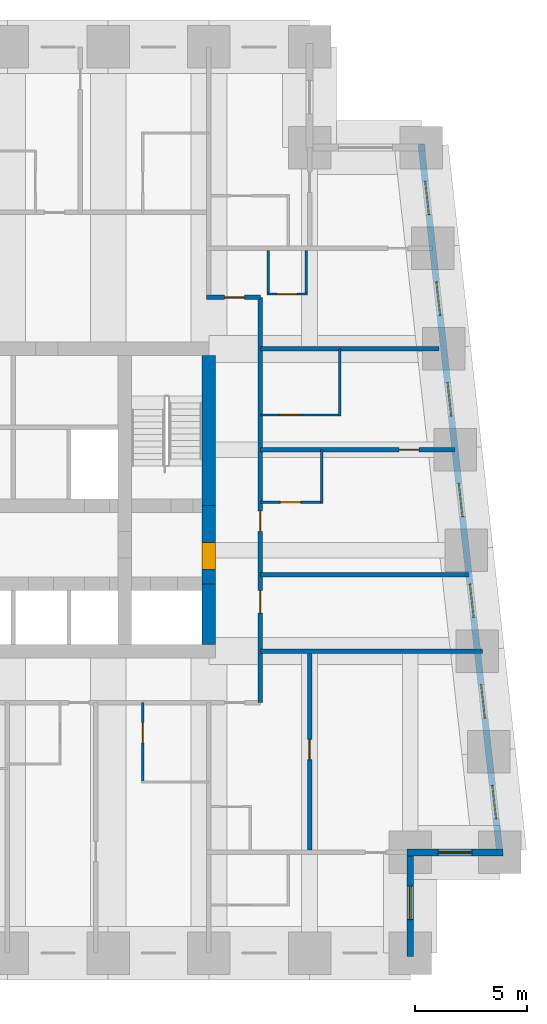
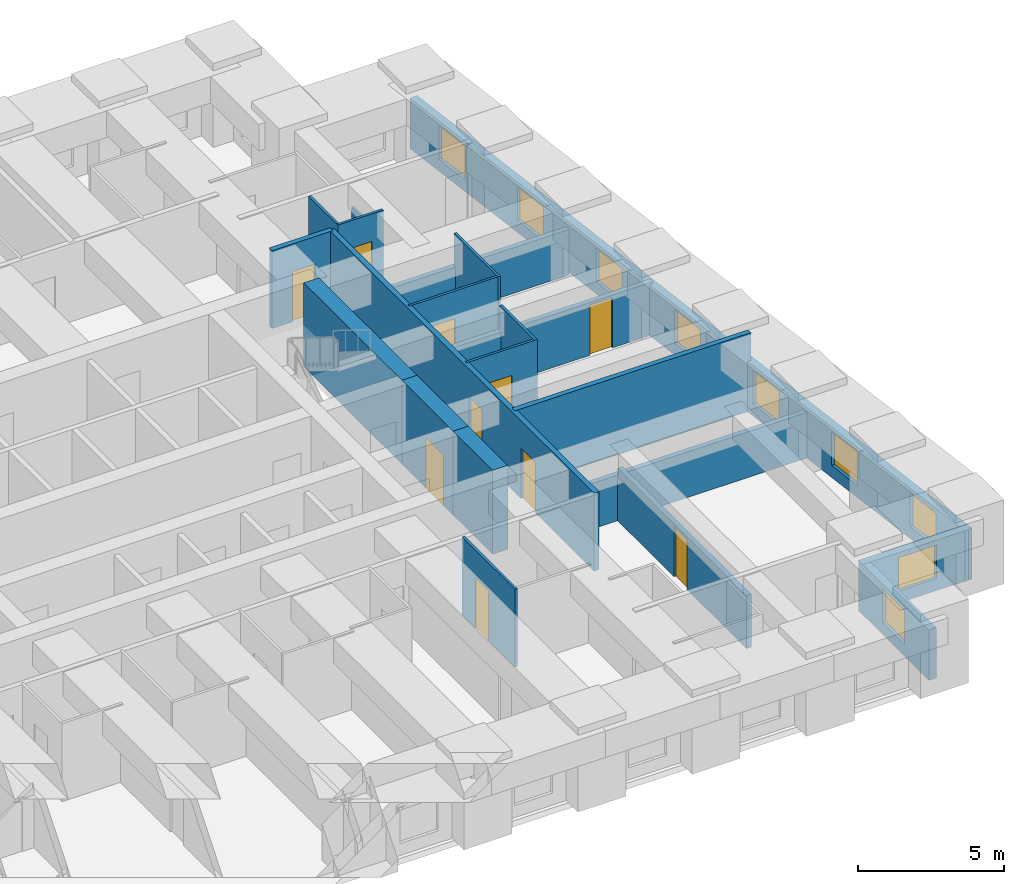
# One storey, part 5 of 8: 21 walls, 10 doors, 9 windows, 19 openings.
"""IFC4 building model written with IfcOpenShell, lengths in metres."""

from ifc_helpers import new_model, si_unit, direction, frame, frame_2d, origin, place, context, subcontext, project, spatial, rectangle, extrude, material, layer, layer_set, type_object, element, fill, save


model = new_model("IFC4")

# Units and contexts
model_context = context("Model", 3, precision=1e-05, world=origin(), true_north=direction((0.0, 1.0)))
body_context = subcontext(model_context, "Body", "Model", "MODEL_VIEW")
ifc_project = project(units=[si_unit("LENGTHUNIT", "METRE"), si_unit("AREAUNIT", "SQUARE_METRE"), si_unit("VOLUMEUNIT", "CUBIC_METRE"), si_unit("PLANEANGLEUNIT", "RADIAN"), si_unit("MASSUNIT", "GRAM", prefix="KILO")], contexts=[model_context])

# Site, building, storey
site_placement = place(None, origin())
site = spatial("IfcSite", under=ifc_project, at=site_placement, CompositionType="ELEMENT")
building_placement = place(site_placement, origin())
building = spatial("IfcBuilding", under=site, at=building_placement, Name="Kilele Tower Hotel", CompositionType="ELEMENT")
storey_placement = place(building_placement, frame((0.0, 0.0, 142.39990234375)))
storey = spatial("IfcBuildingStorey", under=building, at=storey_placement, Name="L37", CompositionType="ELEMENT", Elevation=142.39990234375)

# Wall, opening, door
ifc_material_1 = material(Name="Moisture-resistant board")
ifc_layer_1 = layer(ifc_material_1, 0.10009765625)
ifc_layer_set_1 = layer_set([ifc_layer_1], Name="Moisture-resistant board")
wall_type_1 = type_object("IfcWallType", Name="Bathroom partition 100", PredefinedType="PLUMBINGWALL", material=ifc_layer_set_1)
wall_1_placement = place(storey_placement, frame((33.050048828125, 11.199951171875, 0.0), z_axis=(0.0, 0.0, 1.0), x_axis=(0.0, -1.0, 0.0)))
wall_1 = element("IfcWall", 1, at=wall_1_placement, inside=storey, type_object=wall_type_1, Name="Bathroom partition 100 L37", PredefinedType="PLUMBINGWALL", context=body_context, shape_type="SweptSolid", body=[
    extrude(rectangle(XDim=3.599853515625, YDim=0.10009765625, at=frame_2d((1.7998046875, 0.0))), origin(), (0.0, 0.0, 1.0), 3.25),
])
opening_1_placement = place(wall_1_placement, frame((1.7998046875, 0.0, 0.0), z_axis=(0.0, 0.0, 1.0), x_axis=(-1.0, 0.0, 0.0)))
opening_1 = element("IfcOpeningElement", 2, at=opening_1_placement, cuts=wall_1, Name="Opening D2A", PredefinedType="OPENING", context=body_context, shape_type="SweptSolid", body=[
    extrude(rectangle(XDim=0.89990234375, YDim=2.10009765625, at=frame_2d((0.449951171875, 1.050048828125))), frame((0.0, 0.06005859375, 0.0), z_axis=(0.0, -1.0, 0.0), x_axis=(1.0, 0.0, 0.0)), (0.0, 0.0, 1.0), 0.1201171875),
])
ifc_material_2 = material(Name="Timber door leaf in hardwood frame", Category="wood")
door_type_1 = type_object("IfcDoorType", Name="Bathroom door 900", OperationType="SINGLE_SWING_LEFT", PredefinedType="DOOR", material=ifc_material_2)
door_1_placement = place(opening_1_placement, origin())
door_1 = element("IfcDoor", 3, at=door_1_placement, inside=storey, type_object=door_type_1, Name="Bathroom door 3705B", OperationType="SINGLE_SWING_RIGHT", OverallHeight=2.10009765625, OverallWidth=0.89990234375, PredefinedType="DOOR", context=body_context, shape_type="SweptSolid", body=[
    extrude(rectangle(XDim=0.89990234375, YDim=2.10009765625, at=frame_2d((0.449951171875, 1.050048828125))), frame((0.0, 0.02490234375, 0.0), z_axis=(0.0, -1.0, 0.0), x_axis=(1.0, 0.0, 0.0)), (0.0, 0.0, 1.0), 0.050048828125),
])
fill(opening_1, door_1)

# Wall
wall_2_placement = place(storey_placement, frame((41.050048828125, 20.10009765625, 0.0), z_axis=(0.0, 0.0, 1.0), x_axis=(0.0, 1.0, 0.0)))
element("IfcWall", 4, at=wall_2_placement, inside=storey, type_object=wall_type_1, Name="Bathroom partition 100 L37", PredefinedType="PLUMBINGWALL", context=body_context, shape_type="SweptSolid", body=[
    extrude(rectangle(XDim=2.39990234375, YDim=0.10009765625, at=frame_2d((1.199951171875, 0.0))), origin(), (0.0, 0.0, 1.0), 3.25),
])

# Wall, opening, door
wall_3_placement = place(storey_placement, frame((38.300048828125, 20.14990234375, 0.0), z_axis=(0.0, 0.0, 1.0), x_axis=(1.0, 0.0, 0.0)))
wall_3 = element("IfcWall", 5, at=wall_3_placement, inside=storey, type_object=wall_type_1, Name="Bathroom partition 100 L37", PredefinedType="PLUMBINGWALL", context=body_context, shape_type="SweptSolid", body=[
    extrude(rectangle(XDim=2.800048828125, YDim=0.10009765625, at=frame_2d((1.39990234375, 0.0))), origin(), (0.0, 0.0, 1.0), 3.25),
])
opening_2_placement = place(wall_3_placement, frame((1.7998046875, 0.0, 0.0), z_axis=(0.0, 0.0, 1.0), x_axis=(-1.0, 0.0, 0.0)))
opening_2 = element("IfcOpeningElement", 6, at=opening_2_placement, cuts=wall_3, Name="Opening D2A", PredefinedType="OPENING", context=body_context, shape_type="SweptSolid", body=[
    extrude(rectangle(XDim=0.89990234375, YDim=2.10009765625, at=frame_2d((0.449951171875, 1.050048828125))), frame((0.0, 0.06005859375, 0.0), z_axis=(0.0, -1.0, 0.0), x_axis=(1.0, 0.0, 0.0)), (0.0, 0.0, 1.0), 0.1201171875),
])
door_2_placement = place(opening_2_placement, origin())
door_2 = element("IfcDoor", 7, at=door_2_placement, inside=storey, type_object=door_type_1, Name="Bathroom door 3707B", OperationType="SINGLE_SWING_RIGHT", OverallHeight=2.10009765625, OverallWidth=0.89990234375, PredefinedType="DOOR", context=body_context, shape_type="SweptSolid", body=[
    extrude(rectangle(XDim=0.89990234375, YDim=2.10009765625, at=frame_2d((0.449951171875, 1.050048828125))), frame((0.0, 0.02490234375, 0.0), z_axis=(0.0, -1.0, 0.0), x_axis=(1.0, 0.0, 0.0)), (0.0, 0.0, 1.0), 0.050048828125),
])
fill(opening_2, door_2)

# Wall
wall_4_placement = place(storey_placement, frame((41.85009765625, 24.0, 0.0), z_axis=(0.0, 0.0, 1.0), x_axis=(0.0, 1.0, 0.0)))
element("IfcWall", 8, at=wall_4_placement, inside=storey, type_object=wall_type_1, Name="Bathroom partition 100 L37", PredefinedType="PLUMBINGWALL", context=body_context, shape_type="SweptSolid", body=[
    extrude(rectangle(XDim=3.0, YDim=0.10009765625, at=frame_2d((1.5, 0.0))), origin(), (0.0, 0.0, 1.0), 3.25),
])

# Wall, opening, door
wall_5_placement = place(storey_placement, frame((38.300048828125, 24.050048828125, 0.0), z_axis=(0.0, 0.0, 1.0), x_axis=(1.0, 0.0, 0.0)))
wall_5 = element("IfcWall", 9, at=wall_5_placement, inside=storey, type_object=wall_type_1, Name="Bathroom partition 100 L37", PredefinedType="PLUMBINGWALL", context=body_context, shape_type="SweptSolid", body=[
    extrude(rectangle(XDim=3.599853515625, YDim=0.10009765625, at=frame_2d((1.7998046875, 0.0))), origin(), (0.0, 0.0, 1.0), 3.25),
])
opening_3_placement = place(wall_5_placement, frame((1.7998046875, 0.0, 0.0), z_axis=(0.0, 0.0, 1.0), x_axis=(-1.0, 0.0, 0.0)))
opening_3 = element("IfcOpeningElement", 10, at=opening_3_placement, cuts=wall_5, Name="Opening D2A", PredefinedType="OPENING", context=body_context, shape_type="SweptSolid", body=[
    extrude(rectangle(XDim=0.89990234375, YDim=2.10009765625, at=frame_2d((0.449951171875, 1.050048828125))), frame((0.0, 0.06005859375, 0.0), z_axis=(0.0, -1.0, 0.0), x_axis=(1.0, 0.0, 0.0)), (0.0, 0.0, 1.0), 0.1201171875),
])
door_3_placement = place(opening_3_placement, origin())
door_3 = element("IfcDoor", 11, at=door_3_placement, inside=storey, type_object=door_type_1, Name="Bathroom door 3708B", OperationType="SINGLE_SWING_RIGHT", OverallHeight=2.10009765625, OverallWidth=0.89990234375, PredefinedType="DOOR", context=body_context, shape_type="SweptSolid", body=[
    extrude(rectangle(XDim=0.89990234375, YDim=2.10009765625, at=frame_2d((0.449951171875, 1.050048828125))), frame((0.0, 0.02490234375, 0.0), z_axis=(0.0, -1.0, 0.0), x_axis=(1.0, 0.0, 0.0)), (0.0, 0.0, 1.0), 0.050048828125),
])
fill(opening_3, door_3)

# Walls
wall_6_placement = place(storey_placement, frame((40.35009765625, 31.39990234375, 0.0), z_axis=(0.0, 0.0, 1.0), x_axis=(0.0, -1.0, 0.0)))
element("IfcWall", 12, at=wall_6_placement, inside=storey, type_object=wall_type_1, Name="Bathroom partition 100 L37", PredefinedType="PLUMBINGWALL", context=body_context, shape_type="SweptSolid", body=[
    extrude(rectangle(XDim=2.0, YDim=0.10009765625, at=frame_2d((1.0, 0.0))), origin(), (0.0, 0.0, 1.0), 2.2001953125),
])
wall_7_placement = place(storey_placement, frame((38.64990234375, 31.39990234375, 0.0), z_axis=(0.0, 0.0, 1.0), x_axis=(0.0, -1.0, 0.0)))
element("IfcWall", 13, at=wall_7_placement, inside=storey, type_object=wall_type_1, Name="Bathroom partition 100 L37", PredefinedType="PLUMBINGWALL", context=body_context, shape_type="SweptSolid", body=[
    extrude(rectangle(XDim=2.0, YDim=0.10009765625, at=frame_2d((1.0, 0.0))), origin(), (0.0, 0.0, 1.0), 3.25),
])

# Wall, opening, door
wall_8_placement = place(storey_placement, frame((38.60009765625, 29.449951171875, 0.0), z_axis=(0.0, 0.0, 1.0), x_axis=(1.0, 0.0, 0.0)))
wall_8 = element("IfcWall", 14, at=wall_8_placement, inside=storey, type_object=wall_type_1, Name="Bathroom partition 100 L37", PredefinedType="PLUMBINGWALL", context=body_context, shape_type="SweptSolid", body=[
    extrude(rectangle(XDim=1.7998046875, YDim=0.10009765625, at=frame_2d((0.89990234375, 0.0))), origin(), (0.0, 0.0, 1.0), 3.25),
])
opening_4_placement = place(wall_8_placement, frame((1.349853515625, 0.0, 0.0), z_axis=(0.0, 0.0, 1.0), x_axis=(-1.0, 0.0, 0.0)))
opening_4 = element("IfcOpeningElement", 15, at=opening_4_placement, cuts=wall_8, Name="Opening D2A", PredefinedType="OPENING", context=body_context, shape_type="SweptSolid", body=[
    extrude(rectangle(XDim=0.89990234375, YDim=2.10009765625, at=frame_2d((0.449951171875, 1.050048828125))), frame((0.0, 0.06005859375, 0.0), z_axis=(0.0, -1.0, 0.0), x_axis=(1.0, 0.0, 0.0)), (0.0, 0.0, 1.0), 0.1201171875),
])
door_4_placement = place(opening_4_placement, origin())
door_4 = element("IfcDoor", 16, at=door_4_placement, inside=storey, type_object=door_type_1, Name="Bathroom door 3723P", OperationType="SINGLE_SWING_RIGHT", OverallHeight=2.10009765625, OverallWidth=0.89990234375, PredefinedType="DOOR", context=body_context, shape_type="SweptSolid", body=[
    extrude(rectangle(XDim=0.89990234375, YDim=2.10009765625, at=frame_2d((0.449951171875, 1.050048828125))), frame((0.0, 0.02490234375, 0.0), z_axis=(0.0, -1.0, 0.0), x_axis=(1.0, 0.0, 0.0)), (0.0, 0.0, 1.0), 0.050048828125),
])
fill(opening_4, door_4)

# Wall
ifc_material_3 = material(Name="Concrete C60/75", Category="concrete")
ifc_layer_2 = layer(ifc_material_3, 0.60009765625)
ifc_layer_set_2 = layer_set([ifc_layer_2], Name="Concrete C60/75")
wall_type_2 = type_object("IfcWallType", Name="Core wall 600 C60/75", PredefinedType="SHEAR", material=ifc_layer_set_2)
wall_9_placement = place(storey_placement, frame((36.0, 13.800048828125, 0.0), z_axis=(0.0, 0.0, 1.0), x_axis=(0.0, 1.0, 0.0)))
element("IfcWall", 17, at=wall_9_placement, inside=storey, type_object=wall_type_2, Name="Core wall E1 L37", PredefinedType="SHEAR", context=body_context, shape_type="SweptSolid", body=[
    extrude(rectangle(XDim=2.699951171875, YDim=0.60009765625, at=frame_2d((1.35009765625, 0.0))), origin(), (0.0, 0.0, 1.0), 3.5),
])

# Wall, opening, door
wall_10_placement = place(storey_placement, frame((36.0, 16.5, 0.0), z_axis=(0.0, 0.0, 1.0), x_axis=(0.0, 1.0, 0.0)))
wall_10 = element("IfcWall", 18, at=wall_10_placement, inside=storey, type_object=wall_type_2, Name="Core wall E2 L37", PredefinedType="SHEAR", context=body_context, shape_type="SweptSolid", body=[
    extrude(rectangle(XDim=3.5, YDim=0.60009765625, at=frame_2d((1.75, 0.0))), origin(), (0.0, 0.0, 1.0), 3.5),
])
opening_5_placement = place(wall_10_placement, frame((0.64990234375, 0.0, 0.0)))
opening_5 = element("IfcOpeningElement", 19, at=opening_5_placement, cuts=wall_10, Name="Opening D4", PredefinedType="OPENING", context=body_context, shape_type="SweptSolid", body=[
    extrude(rectangle(XDim=1.199951171875, YDim=2.10009765625, at=frame_2d((0.60009765625, 1.050048828125))), frame((0.0, 0.31005859375, 0.0), z_axis=(0.0, -1.0, 0.0), x_axis=(1.0, 0.0, 0.0)), (0.0, 0.0, 1.0), 0.6201171875),
])
ifc_material_4 = material(Name="Timber door leaf in hardwood frame", Category="wood")
door_type_2 = type_object("IfcDoorType", Name="Firefighting lobby door 1200", OperationType="SINGLE_SWING_LEFT", PredefinedType="DOOR", material=ifc_material_4)
door_5_placement = place(opening_5_placement, origin())
door_5 = element("IfcDoor", 20, at=door_5_placement, inside=storey, type_object=door_type_2, Name="Lobby door L37", OperationType="SINGLE_SWING_LEFT", OverallHeight=2.10009765625, OverallWidth=1.199951171875, PredefinedType="DOOR", context=body_context, shape_type="SweptSolid", body=[
    extrude(rectangle(XDim=1.199951171875, YDim=2.10009765625, at=frame_2d((0.60009765625, 1.050048828125))), frame((0.0, 0.2998046875, 0.0), z_axis=(0.0, -1.0, 0.0), x_axis=(1.0, 0.0, 0.0)), (0.0, 0.0, 1.0), 0.599609375),
])
fill(opening_5, door_5)

# Wall
wall_11_placement = place(storey_placement, frame((36.0, 20.0, 0.0), z_axis=(0.0, 0.0, 1.0), x_axis=(0.0, 1.0, 0.0)))
element("IfcWall", 21, at=wall_11_placement, inside=storey, type_object=wall_type_2, Name="Core wall E3 L37", PredefinedType="SHEAR", context=body_context, shape_type="SweptSolid", body=[
    extrude(rectangle(XDim=6.699951171875, YDim=0.60009765625, at=frame_2d((3.35009765625, 0.0))), origin(), (0.0, 0.0, 1.0), 3.5),
])

# Wall, opening, door
ifc_material_5 = material(Name="Blockwork, plastered both sides", Category="masonry")
ifc_layer_3 = layer(ifc_material_5, 0.199951171875)
ifc_layer_set_3 = layer_set([ifc_layer_3], Name="Blockwork, plastered both sides")
wall_type_3 = type_object("IfcWallType", Name="Corridor wall 200", PredefinedType="PARTITIONING", material=ifc_layer_set_3)
wall_12_placement = place(storey_placement, frame((35.89990234375, 29.300048828125, 0.0), z_axis=(0.0, 0.0, 1.0), x_axis=(1.0, 0.0, 0.0)))
wall_12 = element("IfcWall", 22, at=wall_12_placement, inside=storey, type_object=wall_type_3, Name="Corridor wall 200 L37", PredefinedType="PARTITIONING", context=body_context, shape_type="SweptSolid", body=[
    extrude(rectangle(XDim=2.400146484375, YDim=0.199951171875, at=frame_2d((1.2001953125, 0.0))), origin(), (0.0, 0.0, 1.0), 3.25),
])
opening_6_placement = place(wall_12_placement, frame((0.800048828125, 0.0, 0.0)))
opening_6 = element("IfcOpeningElement", 23, at=opening_6_placement, cuts=wall_12, Name="Opening D1", PredefinedType="OPENING", context=body_context, shape_type="SweptSolid", body=[
    extrude(rectangle(XDim=0.89990234375, YDim=2.10009765625, at=frame_2d((0.449951171875, 1.050048828125))), frame((0.0, 0.10986328125, 0.0), z_axis=(0.0, -1.0, 0.0), x_axis=(1.0, 0.0, 0.0)), (0.0, 0.0, 1.0), 0.219970703125),
])
ifc_material_6 = material(Name="Timber door leaf in hardwood frame", Category="wood")
door_type_3 = type_object("IfcDoorType", Name="Guest room entrance door 900", OperationType="SINGLE_SWING_LEFT", PredefinedType="DOOR", material=ifc_material_6)
door_6_placement = place(opening_6_placement, origin())
door_6 = element("IfcDoor", 24, at=door_6_placement, inside=storey, type_object=door_type_3, Name="Room entrance 3723", OperationType="SINGLE_SWING_LEFT", OverallHeight=2.10009765625, OverallWidth=0.89990234375, PredefinedType="DOOR", context=body_context, shape_type="SweptSolid", body=[
    extrude(rectangle(XDim=0.89990234375, YDim=2.10009765625, at=frame_2d((0.449951171875, 1.050048828125))), frame((0.0, 0.02490234375, 0.0), z_axis=(0.0, -1.0, 0.0), x_axis=(1.0, 0.0, 0.0)), (0.0, 0.0, 1.0), 0.050048828125),
])
fill(opening_6, door_6)

# Wall, openings, doors
wall_13_placement = place(storey_placement, frame((38.300048828125, 11.199951171875, 0.0), z_axis=(0.0, 0.0, 1.0), x_axis=(0.0, 1.0, 0.0)))
wall_13 = element("IfcWall", 25, at=wall_13_placement, inside=storey, type_object=wall_type_3, Name="Corridor wall 200 L37", PredefinedType="PARTITIONING", context=body_context, shape_type="SweptSolid", body=[
    extrude(rectangle(XDim=18.10009765625, YDim=0.199951171875, at=frame_2d((9.050048828125, 0.0))), origin(), (0.0, 0.0, 1.0), 3.25),
])
opening_7_placement = place(wall_13_placement, frame((5.0, 0.0, 0.0), z_axis=(0.0, 0.0, 1.0), x_axis=(-1.0, 0.0, 0.0)))
opening_7 = element("IfcOpeningElement", 26, at=opening_7_placement, cuts=wall_13, Name="Opening D8", PredefinedType="OPENING", context=body_context, shape_type="SweptSolid", body=[
    extrude(rectangle(XDim=1.0, YDim=2.10009765625, at=frame_2d((0.5, 1.050048828125))), frame((0.0, 0.10986328125, 0.0), z_axis=(0.0, -1.0, 0.0), x_axis=(1.0, 0.0, 0.0)), (0.0, 0.0, 1.0), 0.219970703125),
])
opening_8_placement = place(wall_13_placement, frame((8.5498046875, 0.0, 0.0), z_axis=(0.0, 0.0, 1.0), x_axis=(-1.0, 0.0, 0.0)))
opening_8 = element("IfcOpeningElement", 27, at=opening_8_placement, cuts=wall_13, Name="Opening D1", PredefinedType="OPENING", context=body_context, shape_type="SweptSolid", body=[
    extrude(rectangle(XDim=0.89990234375, YDim=2.10009765625, at=frame_2d((0.449951171875, 1.050048828125))), frame((0.0, 0.10986328125, 0.0), z_axis=(0.0, -1.0, 0.0), x_axis=(1.0, 0.0, 0.0)), (0.0, 0.0, 1.0), 0.219970703125),
])
ifc_material_7 = material(Name="Timber door leaf in hardwood frame", Category="wood")
door_type_4 = type_object("IfcDoorType", Name="Door 1000", OperationType="SINGLE_SWING_LEFT", PredefinedType="DOOR", material=ifc_material_7)
door_7_placement = place(opening_7_placement, origin())
door_7 = element("IfcDoor", 28, at=door_7_placement, inside=storey, type_object=door_type_4, Name="Room entrance 3706", OperationType="SINGLE_SWING_LEFT", OverallHeight=2.10009765625, OverallWidth=1.0, PredefinedType="DOOR", context=body_context, shape_type="SweptSolid", body=[
    extrude(rectangle(XDim=1.0, YDim=2.10009765625, at=frame_2d((0.5, 1.050048828125))), frame((0.0, 0.02490234375, 0.0), z_axis=(0.0, -1.0, 0.0), x_axis=(1.0, 0.0, 0.0)), (0.0, 0.0, 1.0), 0.050048828125),
])
fill(opening_7, door_7)
door_8_placement = place(opening_8_placement, origin())
door_8 = element("IfcDoor", 29, at=door_8_placement, inside=storey, type_object=door_type_3, Name="Room entrance 3707", OperationType="SINGLE_SWING_LEFT", OverallHeight=2.10009765625, OverallWidth=0.89990234375, PredefinedType="DOOR", context=body_context, shape_type="SweptSolid", body=[
    extrude(rectangle(XDim=0.89990234375, YDim=2.10009765625, at=frame_2d((0.449951171875, 1.050048828125))), frame((0.0, 0.02490234375, 0.0), z_axis=(0.0, -1.0, 0.0), x_axis=(1.0, 0.0, 0.0)), (0.0, 0.0, 1.0), 0.050048828125),
])
fill(opening_8, door_8)

# Wall, opening, door
ifc_material_8 = material(Name="Blockwork, plastered both sides", Category="masonry")
ifc_layer_4 = layer(ifc_material_8, 0.199951171875)
ifc_layer_set_4 = layer_set([ifc_layer_4], Name="Blockwork, plastered both sides")
wall_type_4 = type_object("IfcWallType", Name="Partition wall 200", PredefinedType="PARTITIONING", material=ifc_layer_set_4)
wall_14_placement = place(storey_placement, frame((40.5, 4.60009765625, 0.0), z_axis=(0.0, 0.0, 1.0), x_axis=(0.0, 1.0, 0.0)))
wall_14 = element("IfcWall", 30, at=wall_14_placement, inside=storey, type_object=wall_type_4, Name="Partition wall 200 L37", PredefinedType="PARTITIONING", context=body_context, shape_type="SweptSolid", body=[
    extrude(rectangle(XDim=8.7998046875, YDim=0.199951171875, at=frame_2d((4.39990234375, 0.0))), origin(), (0.0, 0.0, 1.0), 2.2001953125),
])
opening_9_placement = place(wall_14_placement, frame((4.050048828125, 0.0, 0.0)))
opening_9 = element("IfcOpeningElement", 31, at=opening_9_placement, cuts=wall_14, Name="Opening D3", PredefinedType="OPENING", context=body_context, shape_type="SweptSolid", body=[
    extrude(rectangle(XDim=0.89990234375, YDim=2.10009765625, at=frame_2d((0.449951171875, 1.050048828125))), frame((0.0, 0.10986328125, 0.0), z_axis=(0.0, -1.0, 0.0), x_axis=(1.0, 0.0, 0.0)), (0.0, 0.0, 1.0), 0.219970703125),
])
ifc_material_9 = material(Name="Timber door leaf in hardwood frame", Category="wood")
door_type_5 = type_object("IfcDoorType", Name="Suite internal door 900", OperationType="SINGLE_SWING_LEFT", PredefinedType="DOOR", material=ifc_material_9)
door_9_placement = place(opening_9_placement, origin())
door_9 = element("IfcDoor", 32, at=door_9_placement, inside=storey, type_object=door_type_5, Name="Suite door 3721", OperationType="SINGLE_SWING_RIGHT", OverallHeight=2.10009765625, OverallWidth=0.89990234375, PredefinedType="DOOR", context=body_context, shape_type="SweptSolid", body=[
    extrude(rectangle(XDim=0.89990234375, YDim=2.10009765625, at=frame_2d((0.449951171875, 1.050048828125))), frame((0.0, 0.02490234375, 0.0), z_axis=(0.0, -1.0, 0.0), x_axis=(1.0, 0.0, 0.0)), (0.0, 0.0, 1.0), 0.050048828125),
])
fill(opening_9, door_9)

# Wall
ifc_material_10 = material(Name="Blockwork, plastered both sides", Category="masonry")
ifc_layer_5 = layer(ifc_material_10, 0.199951171875)
ifc_layer_set_5 = layer_set([ifc_layer_5], Name="Blockwork, plastered both sides")
wall_type_5 = type_object("IfcWallType", Name="Party wall 200", PredefinedType="PARTITIONING", material=ifc_layer_set_5)
wall_15_placement = place(storey_placement, frame((38.300048828125, 16.89990234375, 0.0), z_axis=(0.0, 0.0, 1.0), x_axis=(1.0, 0.0, 0.0)))
element("IfcWall", 33, at=wall_15_placement, inside=storey, type_object=wall_type_5, Name="Party wall 200 L37", PredefinedType="PARTITIONING", context=body_context, shape_type="SweptSolid", body=[
    extrude(rectangle(XDim=9.3212890625, YDim=0.199951171875, at=frame_2d((4.66064453125, 0.0))), origin(), (0.0, 0.0, 1.0), 3.25),
])

# Wall, opening, door
wall_16_placement = place(storey_placement, frame((38.300048828125, 22.5, 0.0), z_axis=(0.0, 0.0, 1.0), x_axis=(1.0, 0.0, 0.0)))
wall_16 = element("IfcWall", 34, at=wall_16_placement, inside=storey, type_object=wall_type_5, Name="Party wall 200 L37", PredefinedType="PARTITIONING", context=body_context, shape_type="SweptSolid", body=[
    extrude(rectangle(XDim=8.698974609375, YDim=0.199951171875, at=frame_2d((4.349609375, 0.0))), origin(), (0.0, 0.0, 1.0), 2.2001953125),
])
opening_10_placement = place(wall_16_placement, frame((6.199951171875, 0.0, 0.0)))
opening_10 = element("IfcOpeningElement", 35, at=opening_10_placement, cuts=wall_16, Name="Opening D3", PredefinedType="OPENING", context=body_context, shape_type="SweptSolid", body=[
    extrude(rectangle(XDim=0.89990234375, YDim=2.10009765625, at=frame_2d((0.449951171875, 1.050048828125))), frame((0.0, 0.10986328125, 0.0), z_axis=(0.0, -1.0, 0.0), x_axis=(1.0, 0.0, 0.0)), (0.0, 0.0, 1.0), 0.219970703125),
])
door_10_placement = place(opening_10_placement, origin())
door_10 = element("IfcDoor", 36, at=door_10_placement, inside=storey, type_object=door_type_5, Name="Suite door 3708", OperationType="SINGLE_SWING_RIGHT", OverallHeight=2.10009765625, OverallWidth=0.89990234375, PredefinedType="DOOR", context=body_context, shape_type="SweptSolid", body=[
    extrude(rectangle(XDim=0.89990234375, YDim=2.10009765625, at=frame_2d((0.449951171875, 1.050048828125))), frame((0.0, 0.02490234375, 0.0), z_axis=(0.0, -1.0, 0.0), x_axis=(1.0, 0.0, 0.0)), (0.0, 0.0, 1.0), 0.050048828125),
])
fill(opening_10, door_10)

# Walls
wall_17_placement = place(storey_placement, frame((38.300048828125, 13.5, 0.0), z_axis=(0.0, 0.0, 1.0), x_axis=(1.0, 0.0, 0.0)))
element("IfcWall", 37, at=wall_17_placement, inside=storey, type_object=wall_type_5, Name="Party wall 200 L37", PredefinedType="PARTITIONING", context=body_context, shape_type="SweptSolid", body=[
    extrude(rectangle(XDim=9.921142578125, YDim=0.199951171875, at=frame_2d((4.96044921875, 0.0))), origin(), (0.0, 0.0, 1.0), 1.900146484375),
])
wall_18_placement = place(storey_placement, frame((38.300048828125, 27.0, 0.0), z_axis=(0.0, 0.0, 1.0), x_axis=(1.0, 0.0, 0.0)))
element("IfcWall", 38, at=wall_18_placement, inside=storey, type_object=wall_type_5, Name="Party wall 200 L37", PredefinedType="PARTITIONING", context=body_context, shape_type="SweptSolid", body=[
    extrude(rectangle(XDim=7.976806640625, YDim=0.199951171875, at=frame_2d((3.98828125, 0.0))), origin(), (0.0, 0.0, 1.0), 1.900146484375),
])

# Wall, opening, window
ifc_material_11 = material(Name="Concrete C40/50 precast", Category="concrete")
ifc_layer_6 = layer(ifc_material_11, 0.260009765625, Name="Precast backing", Category="LoadBearing")
ifc_material_12 = material(Name="Reconstituted stone finish", Category="masonry")
ifc_layer_7 = layer(ifc_material_12, 0.0400390625, Name="Face mix", Category="Finish")
ifc_layer_set_6 = layer_set([ifc_layer_6, ifc_layer_7], Name="Precast concrete C40/50, reconstituted stone finish")
wall_type_6 = type_object("IfcWallType", Name="Precast stone facade wall 300", PredefinedType="STANDARD", material=ifc_layer_set_6)
wall_19_placement = place(storey_placement, frame((45.0, -0.14990234375, 0.0), z_axis=(0.0, 0.0, 1.0), x_axis=(0.0, 1.0, 0.0)))
wall_19 = element("IfcWall", 39, at=wall_19_placement, inside=storey, type_object=wall_type_6, Name="Facade wall L37 edge 4", PredefinedType="STANDARD", context=body_context, shape_type="SweptSolid", body=[
    extrude(rectangle(XDim=4.7998046875, YDim=0.300048828125, at=frame_2d((2.39990234375, 0.0))), origin(), (0.0, 0.0, 1.0), 2.10009765625),
])
opening_11_placement = place(wall_19_placement, frame((1.64990234375, 0.0, 0.5)))
opening_11 = element("IfcOpeningElement", 40, at=opening_11_placement, cuts=wall_19, Name="Opening W2", PredefinedType="OPENING", context=body_context, shape_type="SweptSolid", body=[
    extrude(rectangle(XDim=1.5, YDim=1.39990234375, at=frame_2d((0.75, 0.699951171875))), frame((0.0, 0.159912109375, 0.0), z_axis=(0.0, -1.0, 0.0), x_axis=(1.0, 0.0, 0.0)), (0.0, 0.0, 1.0), 0.320068359375),
])
ifc_material_13 = material(Name="Aluminium frame, clear double glazing", Category="aluminium")
window_type = type_object("IfcWindowType", Name="Window W2 1500 x 1400", PartitioningType="SINGLE_PANEL", PredefinedType="WINDOW", material=ifc_material_13)
window_1_placement = place(opening_11_placement, origin())
window_1 = element("IfcWindow", 41, at=window_1_placement, inside=storey, type_object=window_type, Name="Window L37", OverallHeight=1.39990234375, OverallWidth=1.5, PartitioningType="SINGLE_PANEL", PredefinedType="WINDOW", context=body_context, shape_type="SweptSolid", body=[
    extrude(rectangle(XDim=1.5, YDim=1.39990234375, at=frame_2d((0.75, 0.699951171875))), frame((0.0, 0.030029296875, 0.0), z_axis=(0.0, -1.0, 0.0), x_axis=(1.0, 0.0, 0.0)), (0.0, 0.0, 1.0), 0.06005859375),
])
fill(opening_11, window_1)

wall_20_placement = place(storey_placement, frame((44.85009765625, 4.5, 0.0), z_axis=(0.0, 0.0, 1.0), x_axis=(1.0, 0.0, 0.0)))
wall_20 = element("IfcWall", 42, at=wall_20_placement, inside=storey, type_object=wall_type_6, Name="Facade wall L37 edge 5", PredefinedType="STANDARD", context=body_context, shape_type="SweptSolid", body=[
    extrude(rectangle(XDim=4.2998046875, YDim=0.300048828125, at=frame_2d((2.14990234375, 0.0))), origin(), (0.0, 0.0, 1.0), 2.10009765625),
])
opening_12_placement = place(wall_20_placement, frame((1.39990234375, 0.0, 0.5)))
opening_12 = element("IfcOpeningElement", 43, at=opening_12_placement, cuts=wall_20, Name="Opening W2", PredefinedType="OPENING", context=body_context, shape_type="SweptSolid", body=[
    extrude(rectangle(XDim=1.5, YDim=1.39990234375, at=frame_2d((0.75, 0.699951171875))), frame((0.0, 0.159912109375, 0.0), z_axis=(0.0, -1.0, 0.0), x_axis=(1.0, 0.0, 0.0)), (0.0, 0.0, 1.0), 0.320068359375),
])
window_2_placement = place(opening_12_placement, origin())
window_2 = element("IfcWindow", 44, at=window_2_placement, inside=storey, type_object=window_type, Name="Window L37", OverallHeight=1.39990234375, OverallWidth=1.5, PartitioningType="SINGLE_PANEL", PredefinedType="WINDOW", context=body_context, shape_type="SweptSolid", body=[
    extrude(rectangle(XDim=1.5, YDim=1.39990234375, at=frame_2d((0.75, 0.699951171875))), frame((0.0, 0.030029296875, 0.0), z_axis=(0.0, -1.0, 0.0), x_axis=(1.0, 0.0, 0.0)), (0.0, 0.0, 1.0), 0.06005859375),
])
fill(opening_12, window_2)

# Wall, openings, windows
wall_21_placement = place(storey_placement, frame((49.0166015625, 4.350830078125, 0.0), z_axis=(0.0, 0.0, 1.0), x_axis=(-0.110433201132, 0.993883548555, 0.0)))
wall_21 = element("IfcWall", 45, at=wall_21_placement, inside=storey, type_object=wall_type_6, Name="Facade wall L37 edge 6", PredefinedType="STANDARD", context=body_context, shape_type="SweptSolid", body=[
    extrude(rectangle(XDim=31.994140625, YDim=0.300048828125, at=frame_2d((15.9970703125, 0.0))), origin(), (0.0, 0.0, 1.0), 2.10009765625),
])
opening_13_placement = place(wall_21_placement, frame((1.6640625, 0.0, 0.5)))
opening_13 = element("IfcOpeningElement", 46, at=opening_13_placement, cuts=wall_21, Name="Opening W2", PredefinedType="OPENING", context=body_context, shape_type="SweptSolid", body=[
    extrude(rectangle(XDim=1.5, YDim=1.39990234375, at=frame_2d((0.75, 0.699951171875))), frame((0.0, 0.159912109375, 0.0), z_axis=(0.0, -1.0, 0.0), x_axis=(1.0, 0.0, 0.0)), (0.0, 0.0, 1.0), 0.320068359375),
])
opening_14_placement = place(wall_21_placement, frame((6.19189453125, 0.0, 0.5)))
opening_14 = element("IfcOpeningElement", 47, at=opening_14_placement, cuts=wall_21, Name="Opening W2", PredefinedType="OPENING", context=body_context, shape_type="SweptSolid", body=[
    extrude(rectangle(XDim=1.5, YDim=1.39990234375, at=frame_2d((0.75, 0.699951171875))), frame((0.0, 0.159912109375, 0.0), z_axis=(0.0, -1.0, 0.0), x_axis=(1.0, 0.0, 0.0)), (0.0, 0.0, 1.0), 0.320068359375),
])
opening_15_placement = place(wall_21_placement, frame((10.718994140625, 0.0, 0.5)))
opening_15 = element("IfcOpeningElement", 48, at=opening_15_placement, cuts=wall_21, Name="Opening W2", PredefinedType="OPENING", context=body_context, shape_type="SweptSolid", body=[
    extrude(rectangle(XDim=1.5, YDim=1.39990234375, at=frame_2d((0.75, 0.699951171875))), frame((0.0, 0.159912109375, 0.0), z_axis=(0.0, -1.0, 0.0), x_axis=(1.0, 0.0, 0.0)), (0.0, 0.0, 1.0), 0.320068359375),
])
opening_16_placement = place(wall_21_placement, frame((15.2470703125, 0.0, 0.5)))
opening_16 = element("IfcOpeningElement", 49, at=opening_16_placement, cuts=wall_21, Name="Opening W2", PredefinedType="OPENING", context=body_context, shape_type="SweptSolid", body=[
    extrude(rectangle(XDim=1.5, YDim=1.39990234375, at=frame_2d((0.75, 0.699951171875))), frame((0.0, 0.159912109375, 0.0), z_axis=(0.0, -1.0, 0.0), x_axis=(1.0, 0.0, 0.0)), (0.0, 0.0, 1.0), 0.320068359375),
])
opening_17_placement = place(wall_21_placement, frame((19.77490234375, 0.0, 0.5)))
opening_17 = element("IfcOpeningElement", 50, at=opening_17_placement, cuts=wall_21, Name="Opening W2", PredefinedType="OPENING", context=body_context, shape_type="SweptSolid", body=[
    extrude(rectangle(XDim=1.5, YDim=1.39990234375, at=frame_2d((0.75, 0.699951171875))), frame((0.0, 0.159912109375, 0.0), z_axis=(0.0, -1.0, 0.0), x_axis=(1.0, 0.0, 0.0)), (0.0, 0.0, 1.0), 0.320068359375),
])
opening_18_placement = place(wall_21_placement, frame((24.302001953125, 0.0, 0.5)))
opening_18 = element("IfcOpeningElement", 51, at=opening_18_placement, cuts=wall_21, Name="Opening W2", PredefinedType="OPENING", context=body_context, shape_type="SweptSolid", body=[
    extrude(rectangle(XDim=1.5, YDim=1.39990234375, at=frame_2d((0.75, 0.699951171875))), frame((0.0, 0.159912109375, 0.0), z_axis=(0.0, -1.0, 0.0), x_axis=(1.0, 0.0, 0.0)), (0.0, 0.0, 1.0), 0.320068359375),
])
opening_19_placement = place(wall_21_placement, frame((28.830078125, 0.0, 0.5)))
opening_19 = element("IfcOpeningElement", 52, at=opening_19_placement, cuts=wall_21, Name="Opening W2", PredefinedType="OPENING", context=body_context, shape_type="SweptSolid", body=[
    extrude(rectangle(XDim=1.5, YDim=1.39990234375, at=frame_2d((0.75, 0.699951171875))), frame((0.0, 0.159912109375, 0.0), z_axis=(0.0, -1.0, 0.0), x_axis=(1.0, 0.0, 0.0)), (0.0, 0.0, 1.0), 0.320068359375),
])
window_3_placement = place(opening_13_placement, origin())
window_3 = element("IfcWindow", 53, at=window_3_placement, inside=storey, type_object=window_type, Name="Window L37", OverallHeight=1.39990234375, OverallWidth=1.5, PartitioningType="SINGLE_PANEL", PredefinedType="WINDOW", context=body_context, shape_type="SweptSolid", body=[
    extrude(rectangle(XDim=1.5, YDim=1.39990234375, at=frame_2d((0.75, 0.699951171875))), frame((0.0, 0.030029296875, 0.0), z_axis=(0.0, -1.0, 0.0), x_axis=(1.0, 0.0, 0.0)), (0.0, 0.0, 1.0), 0.06005859375),
])
fill(opening_13, window_3)
window_4_placement = place(opening_14_placement, origin())
window_4 = element("IfcWindow", 54, at=window_4_placement, inside=storey, type_object=window_type, Name="Window L37", OverallHeight=1.39990234375, OverallWidth=1.5, PartitioningType="SINGLE_PANEL", PredefinedType="WINDOW", context=body_context, shape_type="SweptSolid", body=[
    extrude(rectangle(XDim=1.5, YDim=1.39990234375, at=frame_2d((0.75, 0.699951171875))), frame((0.0, 0.030029296875, 0.0), z_axis=(0.0, -1.0, 0.0), x_axis=(1.0, 0.0, 0.0)), (0.0, 0.0, 1.0), 0.06005859375),
])
fill(opening_14, window_4)
window_5_placement = place(opening_15_placement, origin())
window_5 = element("IfcWindow", 55, at=window_5_placement, inside=storey, type_object=window_type, Name="Window L37", OverallHeight=1.39990234375, OverallWidth=1.5, PartitioningType="SINGLE_PANEL", PredefinedType="WINDOW", context=body_context, shape_type="SweptSolid", body=[
    extrude(rectangle(XDim=1.5, YDim=1.39990234375, at=frame_2d((0.75, 0.699951171875))), frame((0.0, 0.030029296875, 0.0), z_axis=(0.0, -1.0, 0.0), x_axis=(1.0, 0.0, 0.0)), (0.0, 0.0, 1.0), 0.06005859375),
])
fill(opening_15, window_5)
window_6_placement = place(opening_16_placement, origin())
window_6 = element("IfcWindow", 56, at=window_6_placement, inside=storey, type_object=window_type, Name="Window L37", OverallHeight=1.39990234375, OverallWidth=1.5, PartitioningType="SINGLE_PANEL", PredefinedType="WINDOW", context=body_context, shape_type="SweptSolid", body=[
    extrude(rectangle(XDim=1.5, YDim=1.39990234375, at=frame_2d((0.75, 0.699951171875))), frame((0.0, 0.030029296875, 0.0), z_axis=(0.0, -1.0, 0.0), x_axis=(1.0, 0.0, 0.0)), (0.0, 0.0, 1.0), 0.06005859375),
])
fill(opening_16, window_6)
window_7_placement = place(opening_17_placement, origin())
window_7 = element("IfcWindow", 57, at=window_7_placement, inside=storey, type_object=window_type, Name="Window L37", OverallHeight=1.39990234375, OverallWidth=1.5, PartitioningType="SINGLE_PANEL", PredefinedType="WINDOW", context=body_context, shape_type="SweptSolid", body=[
    extrude(rectangle(XDim=1.5, YDim=1.39990234375, at=frame_2d((0.75, 0.699951171875))), frame((0.0, 0.030029296875, 0.0), z_axis=(0.0, -1.0, 0.0), x_axis=(1.0, 0.0, 0.0)), (0.0, 0.0, 1.0), 0.06005859375),
])
fill(opening_17, window_7)
window_8_placement = place(opening_18_placement, origin())
window_8 = element("IfcWindow", 58, at=window_8_placement, inside=storey, type_object=window_type, Name="Window L37", OverallHeight=1.39990234375, OverallWidth=1.5, PartitioningType="SINGLE_PANEL", PredefinedType="WINDOW", context=body_context, shape_type="SweptSolid", body=[
    extrude(rectangle(XDim=1.5, YDim=1.39990234375, at=frame_2d((0.75, 0.699951171875))), frame((0.0, 0.030029296875, 0.0), z_axis=(0.0, -1.0, 0.0), x_axis=(1.0, 0.0, 0.0)), (0.0, 0.0, 1.0), 0.06005859375),
])
fill(opening_18, window_8)
window_9_placement = place(opening_19_placement, origin())
window_9 = element("IfcWindow", 59, at=window_9_placement, inside=storey, type_object=window_type, Name="Window L37", OverallHeight=1.39990234375, OverallWidth=1.5, PartitioningType="SINGLE_PANEL", PredefinedType="WINDOW", context=body_context, shape_type="SweptSolid", body=[
    extrude(rectangle(XDim=1.5, YDim=1.39990234375, at=frame_2d((0.75, 0.699951171875))), frame((0.0, 0.030029296875, 0.0), z_axis=(0.0, -1.0, 0.0), x_axis=(1.0, 0.0, 0.0)), (0.0, 0.0, 1.0), 0.06005859375),
])
fill(opening_19, window_9)

save(model, "model.ifc")
